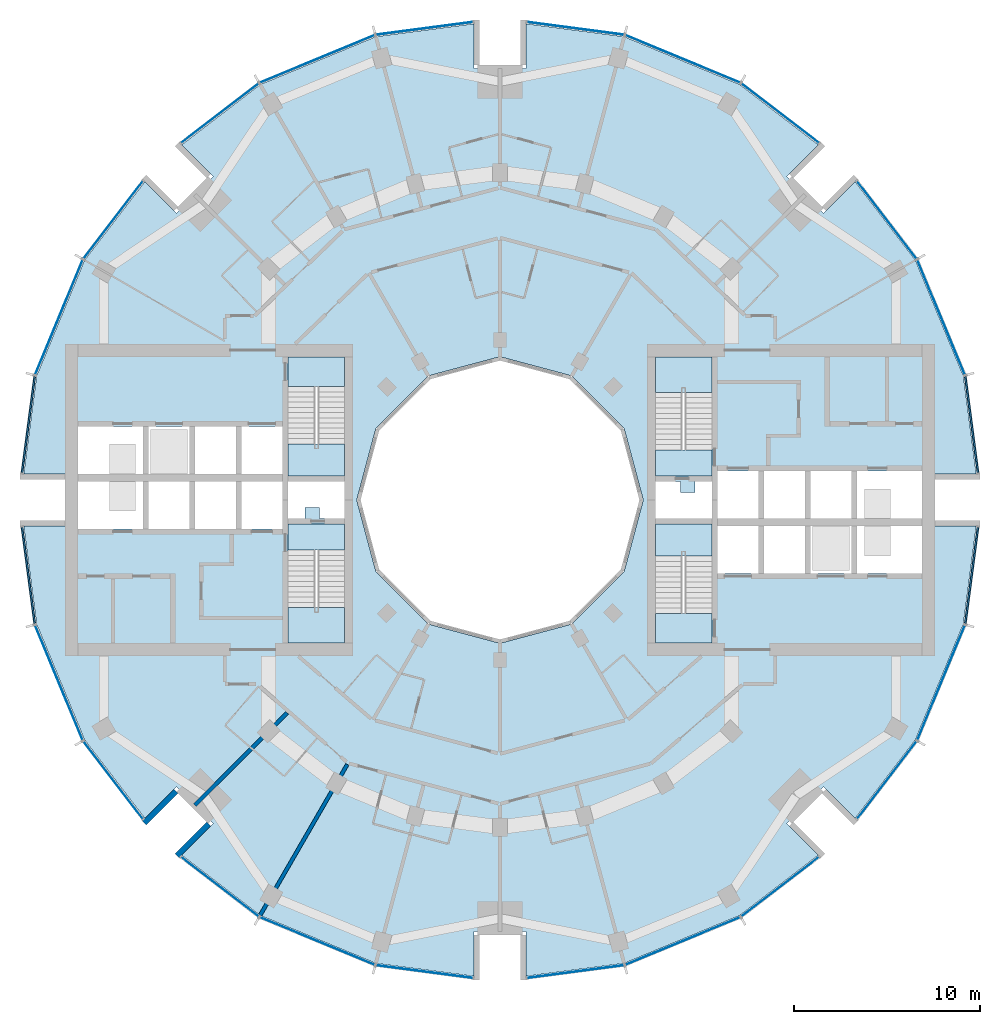
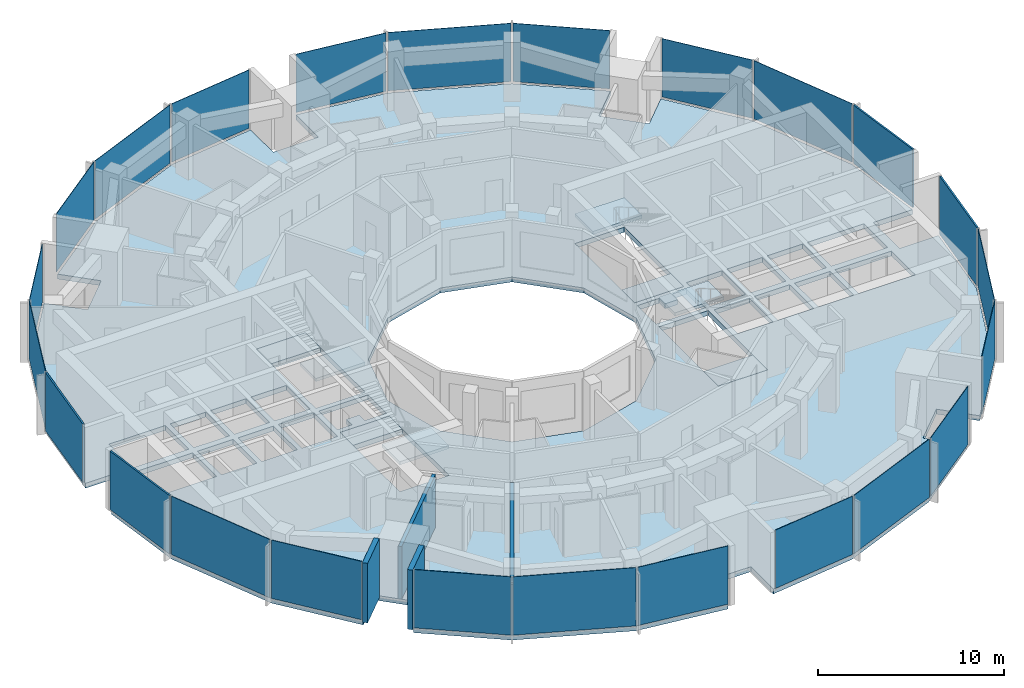
# One storey, part 7 of 15: 24 plates, 9 slabs, 4 walls, 28 elements without a shape of their own.
"""IFC4 building model written with IfcOpenShell, lengths in metres."""

from ifc_helpers import new_model, si_unit, direction, frame, frame_2d, origin, origin_2d, place, context, subcontext, project, spatial, polyline, rectangle, outline, extrude, material, layer, layer_set, type_object, element, aggregate, save


model = new_model("IFC4")

# Units and contexts
model_context = context("Model", 3, precision=1e-05, world=origin(), true_north=direction((0.0, 1.0)))
body_context = subcontext(model_context, "Body", "Model", "MODEL_VIEW")
ifc_project = project(units=[si_unit("LENGTHUNIT", "METRE"), si_unit("AREAUNIT", "SQUARE_METRE"), si_unit("VOLUMEUNIT", "CUBIC_METRE"), si_unit("PLANEANGLEUNIT", "RADIAN"), si_unit("MASSUNIT", "GRAM", prefix="KILO")], contexts=[model_context])

# Site, building, storey
site_placement = place(None, origin())
site = spatial("IfcSite", under=ifc_project, at=site_placement, CompositionType="ELEMENT")
building_placement = place(site_placement, origin())
building = spatial("IfcBuilding", under=site, at=building_placement, Name="Torre Brocal", CompositionType="ELEMENT")
storey_placement = place(building_placement, frame((0.0, 0.0, 141.89990234375)))
storey = spatial("IfcBuildingStorey", under=building, at=storey_placement, Name="L33", CompositionType="ELEMENT", Elevation=141.89990234375)

# Curtain wall, plate
ifc_material_1 = material(Name="Aluminium and glass", Category="aluminium")
ifc_layer_1 = layer(ifc_material_1, 0.199951171875)
ifc_layer_set_1 = layer_set([ifc_layer_1], Name="Aluminium and glass")
curtain_wall_type_1 = type_object("IfcCurtainWallType", Name="CW-1 CURTAIN WALL 3900 HIGH", PredefinedType="NOTDEFINED", material=ifc_layer_set_1)
curtain_wall_1_placement = place(storey_placement, origin())
curtain_wall_1 = element("IfcCurtainWall", 1, at=curtain_wall_1_placement, inside=storey, type_object=curtain_wall_type_1, Name="CW-1 RUN 2", PredefinedType="NOTDEFINED")
ifc_material_2 = material(Name="Glass, dark tinted laminated", Category="glass")
ifc_layer_2 = layer(ifc_material_2, 0.031982421875)
ifc_layer_set_2 = layer_set([ifc_layer_2], Name="Glass, dark tinted laminated")
plate_type_1 = type_object("IfcPlateType", Name="CW-1 GLASS PANEL 32", PredefinedType="CURTAIN_PANEL", material=ifc_layer_set_2)
plate_1_placement = place(storey_placement, frame((103.722900390625, 84.826416015625, 0.080078125), z_axis=(0.0, 0.0, 1.0), x_axis=(-0.382683432333, 0.923879532525, 0.0)))
plate_1 = element("IfcPlate", 2, at=plate_1_placement, type_object=plate_type_1, Name="CW1-3 panel 1.1", PredefinedType="CURTAIN_PANEL", context=body_context, shape_type="SweptSolid", body=[
    extrude(rectangle(XDim=6.64111328125, YDim=0.031982421875, at=origin_2d()), origin(), (0.0, 0.0, 1.0), 3.820068359375),
])
aggregate(curtain_wall_1, [plate_1])

curtain_wall_2_placement = place(storey_placement, origin())
curtain_wall_2 = element("IfcCurtainWall", 3, at=curtain_wall_2_placement, inside=storey, type_object=curtain_wall_type_1, Name="CW-1 RUN 3", PredefinedType="NOTDEFINED")
plate_2_placement = place(storey_placement, frame((100.80126953125, 90.0712890625, 0.080078125), z_axis=(0.0, 0.0, 1.0), x_axis=(-0.60876142905, 0.793353340259, 0.0)))
plate_2 = element("IfcPlate", 4, at=plate_2_placement, type_object=plate_type_1, Name="CW1-3 panel 1.1", PredefinedType="CURTAIN_PANEL", context=body_context, shape_type="SweptSolid", body=[
    extrude(rectangle(XDim=5.22900390625, YDim=0.031982421875, at=origin_2d()), origin(), (0.0, 0.0, 1.0), 3.820068359375),
])
aggregate(curtain_wall_2, [plate_2])

curtain_wall_3_placement = place(storey_placement, origin())
curtain_wall_3 = element("IfcCurtainWall", 5, at=curtain_wall_3_placement, inside=storey, type_object=curtain_wall_type_1, Name="CW-1 RUN 4", PredefinedType="NOTDEFINED")
plate_3_placement = place(storey_placement, frame((95.0712890625, 95.80126953125, 0.080078125), z_axis=(0.0, 0.0, 1.0), x_axis=(-0.793353340259, 0.60876142905, 0.0)))
plate_3 = element("IfcPlate", 6, at=plate_3_placement, type_object=plate_type_1, Name="CW1-3 panel 1.1", PredefinedType="CURTAIN_PANEL", context=body_context, shape_type="SweptSolid", body=[
    extrude(rectangle(XDim=5.22900390625, YDim=0.031982421875, at=origin_2d()), origin(), (0.0, 0.0, 1.0), 3.820068359375),
])
aggregate(curtain_wall_3, [plate_3])

curtain_wall_4_placement = place(storey_placement, origin())
curtain_wall_4 = element("IfcCurtainWall", 7, at=curtain_wall_4_placement, inside=storey, type_object=curtain_wall_type_1, Name="CW-1 RUN 5", PredefinedType="NOTDEFINED")
plate_4_placement = place(storey_placement, frame((89.826416015625, 98.722900390625, 0.080078125), z_axis=(0.0, 0.0, 1.0), x_axis=(-0.923879532525, 0.382683432333, 0.0)))
plate_4 = element("IfcPlate", 8, at=plate_4_placement, type_object=plate_type_1, Name="CW1-3 panel 1.1", PredefinedType="CURTAIN_PANEL", context=body_context, shape_type="SweptSolid", body=[
    extrude(rectangle(XDim=6.64111328125, YDim=0.031982421875, at=origin_2d()), origin(), (0.0, 0.0, 1.0), 3.820068359375),
])
aggregate(curtain_wall_4, [plate_4])

curtain_wall_5_placement = place(storey_placement, origin())
curtain_wall_5 = element("IfcCurtainWall", 9, at=curtain_wall_5_placement, inside=storey, type_object=curtain_wall_type_1, Name="CW-1 RUN 6", PredefinedType="NOTDEFINED")
plate_5_placement = place(storey_placement, frame((84.051513671875, 100.36572265625, 0.080078125), z_axis=(0.0, 0.0, 1.0), x_axis=(-0.991444861374, 0.13052619222, 0.0)))
plate_5 = element("IfcPlate", 10, at=plate_5_placement, type_object=plate_type_1, Name="CW1-3 panel 1.1", PredefinedType="CURTAIN_PANEL", context=body_context, shape_type="SweptSolid", body=[
    extrude(rectangle(XDim=5.22900390625, YDim=0.031982421875, at=origin_2d()), origin(), (0.0, 0.0, 1.0), 3.820068359375),
])
aggregate(curtain_wall_5, [plate_5])

curtain_wall_6_placement = place(storey_placement, origin())
curtain_wall_6 = element("IfcCurtainWall", 11, at=curtain_wall_6_placement, inside=storey, type_object=curtain_wall_type_1, Name="CW-1 RUN 7", PredefinedType="NOTDEFINED")
plate_6_placement = place(storey_placement, frame((75.948486328125, 100.36572265625, 0.080078125), z_axis=(0.0, 0.0, 1.0), x_axis=(-0.991444861374, -0.13052619222, 0.0)))
plate_6 = element("IfcPlate", 12, at=plate_6_placement, type_object=plate_type_1, Name="CW1-3 panel 1.1", PredefinedType="CURTAIN_PANEL", context=body_context, shape_type="SweptSolid", body=[
    extrude(rectangle(XDim=5.22900390625, YDim=0.031982421875, at=origin_2d()), origin(), (0.0, 0.0, 1.0), 3.820068359375),
])
aggregate(curtain_wall_6, [plate_6])

curtain_wall_7_placement = place(storey_placement, origin())
curtain_wall_7 = element("IfcCurtainWall", 13, at=curtain_wall_7_placement, inside=storey, type_object=curtain_wall_type_1, Name="CW-1 RUN 8", PredefinedType="NOTDEFINED")
plate_7_placement = place(storey_placement, frame((70.173583984375, 98.722900390625, 0.080078125), z_axis=(0.0, 0.0, 1.0), x_axis=(-0.923879532525, -0.382683432333, 0.0)))
plate_7 = element("IfcPlate", 14, at=plate_7_placement, type_object=plate_type_1, Name="CW1-3 panel 1.1", PredefinedType="CURTAIN_PANEL", context=body_context, shape_type="SweptSolid", body=[
    extrude(rectangle(XDim=6.64111328125, YDim=0.031982421875, at=origin_2d()), origin(), (0.0, 0.0, 1.0), 3.820068359375),
])
aggregate(curtain_wall_7, [plate_7])

curtain_wall_8_placement = place(storey_placement, origin())
curtain_wall_8 = element("IfcCurtainWall", 15, at=curtain_wall_8_placement, inside=storey, type_object=curtain_wall_type_1, Name="CW-1 RUN 9", PredefinedType="NOTDEFINED")
plate_8_placement = place(storey_placement, frame((64.9287109375, 95.80126953125, 0.080078125), z_axis=(0.0, 0.0, 1.0), x_axis=(-0.793353340259, -0.60876142905, 0.0)))
plate_8 = element("IfcPlate", 16, at=plate_8_placement, type_object=plate_type_1, Name="CW1-3 panel 1.1", PredefinedType="CURTAIN_PANEL", context=body_context, shape_type="SweptSolid", body=[
    extrude(rectangle(XDim=5.22900390625, YDim=0.031982421875, at=origin_2d()), origin(), (0.0, 0.0, 1.0), 3.820068359375),
])
aggregate(curtain_wall_8, [plate_8])

curtain_wall_9_placement = place(storey_placement, origin())
curtain_wall_9 = element("IfcCurtainWall", 17, at=curtain_wall_9_placement, inside=storey, type_object=curtain_wall_type_1, Name="CW-1 RUN 10", PredefinedType="NOTDEFINED")
plate_9_placement = place(storey_placement, frame((59.19873046875, 90.0712890625, 0.080078125), z_axis=(0.0, 0.0, 1.0), x_axis=(-0.60876142905, -0.793353340259, 0.0)))
plate_9 = element("IfcPlate", 18, at=plate_9_placement, type_object=plate_type_1, Name="CW1-3 panel 1.1", PredefinedType="CURTAIN_PANEL", context=body_context, shape_type="SweptSolid", body=[
    extrude(rectangle(XDim=5.22900390625, YDim=0.031982421875, at=origin_2d()), origin(), (0.0, 0.0, 1.0), 3.820068359375),
])
aggregate(curtain_wall_9, [plate_9])

curtain_wall_10_placement = place(storey_placement, origin())
curtain_wall_10 = element("IfcCurtainWall", 19, at=curtain_wall_10_placement, inside=storey, type_object=curtain_wall_type_1, Name="CW-1 RUN 11", PredefinedType="NOTDEFINED")
plate_10_placement = place(storey_placement, frame((56.277099609375, 84.826416015625, 0.080078125), z_axis=(0.0, 0.0, 1.0), x_axis=(-0.382683432333, -0.923879532525, 0.0)))
plate_10 = element("IfcPlate", 20, at=plate_10_placement, type_object=plate_type_1, Name="CW1-3 panel 1.1", PredefinedType="CURTAIN_PANEL", context=body_context, shape_type="SweptSolid", body=[
    extrude(rectangle(XDim=6.64111328125, YDim=0.031982421875, at=origin_2d()), origin(), (0.0, 0.0, 1.0), 3.820068359375),
])
aggregate(curtain_wall_10, [plate_10])

curtain_wall_11_placement = place(storey_placement, origin())
curtain_wall_11 = element("IfcCurtainWall", 21, at=curtain_wall_11_placement, inside=storey, type_object=curtain_wall_type_1, Name="CW-1 RUN 14", PredefinedType="NOTDEFINED")
plate_11_placement = place(storey_placement, frame((56.277099609375, 65.173583984375, 0.080078125), z_axis=(0.0, 0.0, 1.0), x_axis=(0.382683432333, -0.923879532525, 0.0)))
plate_11 = element("IfcPlate", 22, at=plate_11_placement, type_object=plate_type_1, Name="CW1-3 panel 1.1", PredefinedType="CURTAIN_PANEL", context=body_context, shape_type="SweptSolid", body=[
    extrude(rectangle(XDim=6.64111328125, YDim=0.031982421875, at=origin_2d()), origin(), (0.0, 0.0, 1.0), 3.820068359375),
])
aggregate(curtain_wall_11, [plate_11])

curtain_wall_12_placement = place(storey_placement, origin())
curtain_wall_12 = element("IfcCurtainWall", 23, at=curtain_wall_12_placement, inside=storey, type_object=curtain_wall_type_1, Name="CW-1 RUN 15", PredefinedType="NOTDEFINED")
plate_12_placement = place(storey_placement, frame((59.19873046875, 59.9287109375, 0.080078125), z_axis=(0.0, 0.0, 1.0), x_axis=(0.60876142905, -0.793353340259, 0.0)))
plate_12 = element("IfcPlate", 24, at=plate_12_placement, type_object=plate_type_1, Name="CW1-3 panel 1.1", PredefinedType="CURTAIN_PANEL", context=body_context, shape_type="SweptSolid", body=[
    extrude(rectangle(XDim=5.22900390625, YDim=0.031982421875, at=origin_2d()), origin(), (0.0, 0.0, 1.0), 3.820068359375),
])
aggregate(curtain_wall_12, [plate_12])

curtain_wall_13_placement = place(storey_placement, origin())
curtain_wall_13 = element("IfcCurtainWall", 25, at=curtain_wall_13_placement, inside=storey, type_object=curtain_wall_type_1, Name="CW-1 RUN 16", PredefinedType="NOTDEFINED")
plate_13_placement = place(storey_placement, frame((64.9287109375, 54.19873046875, 0.080078125), z_axis=(0.0, 0.0, 1.0), x_axis=(0.793353340259, -0.60876142905, 0.0)))
plate_13 = element("IfcPlate", 26, at=plate_13_placement, type_object=plate_type_1, Name="CW1-3 panel 1.1", PredefinedType="CURTAIN_PANEL", context=body_context, shape_type="SweptSolid", body=[
    extrude(rectangle(XDim=5.22900390625, YDim=0.031982421875, at=origin_2d()), origin(), (0.0, 0.0, 1.0), 3.820068359375),
])
aggregate(curtain_wall_13, [plate_13])

curtain_wall_14_placement = place(storey_placement, origin())
curtain_wall_14 = element("IfcCurtainWall", 27, at=curtain_wall_14_placement, inside=storey, type_object=curtain_wall_type_1, Name="CW-1 RUN 17", PredefinedType="NOTDEFINED")
plate_14_placement = place(storey_placement, frame((70.173583984375, 51.277099609375, 0.080078125), z_axis=(0.0, 0.0, 1.0), x_axis=(0.923879532525, -0.382683432333, 0.0)))
plate_14 = element("IfcPlate", 28, at=plate_14_placement, type_object=plate_type_1, Name="CW1-3 panel 1.1", PredefinedType="CURTAIN_PANEL", context=body_context, shape_type="SweptSolid", body=[
    extrude(rectangle(XDim=6.64111328125, YDim=0.031982421875, at=origin_2d()), origin(), (0.0, 0.0, 1.0), 3.820068359375),
])
aggregate(curtain_wall_14, [plate_14])

curtain_wall_15_placement = place(storey_placement, origin())
curtain_wall_15 = element("IfcCurtainWall", 29, at=curtain_wall_15_placement, inside=storey, type_object=curtain_wall_type_1, Name="CW-1 RUN 18", PredefinedType="NOTDEFINED")
plate_15_placement = place(storey_placement, frame((75.948486328125, 49.63427734375, 0.080078125), z_axis=(0.0, 0.0, 1.0), x_axis=(0.991444861374, -0.13052619222, 0.0)))
plate_15 = element("IfcPlate", 30, at=plate_15_placement, type_object=plate_type_1, Name="CW1-3 panel 1.1", PredefinedType="CURTAIN_PANEL", context=body_context, shape_type="SweptSolid", body=[
    extrude(rectangle(XDim=5.22900390625, YDim=0.031982421875, at=origin_2d()), origin(), (0.0, 0.0, 1.0), 3.820068359375),
])
aggregate(curtain_wall_15, [plate_15])

curtain_wall_16_placement = place(storey_placement, origin())
curtain_wall_16 = element("IfcCurtainWall", 31, at=curtain_wall_16_placement, inside=storey, type_object=curtain_wall_type_1, Name="CW-1 RUN 19", PredefinedType="NOTDEFINED")
plate_16_placement = place(storey_placement, frame((84.051513671875, 49.63427734375, 0.080078125), z_axis=(0.0, 0.0, 1.0), x_axis=(0.991444861374, 0.13052619222, 0.0)))
plate_16 = element("IfcPlate", 32, at=plate_16_placement, type_object=plate_type_1, Name="CW1-3 panel 1.1", PredefinedType="CURTAIN_PANEL", context=body_context, shape_type="SweptSolid", body=[
    extrude(rectangle(XDim=5.22900390625, YDim=0.031982421875, at=origin_2d()), origin(), (0.0, 0.0, 1.0), 3.820068359375),
])
aggregate(curtain_wall_16, [plate_16])

curtain_wall_17_placement = place(storey_placement, origin())
curtain_wall_17 = element("IfcCurtainWall", 33, at=curtain_wall_17_placement, inside=storey, type_object=curtain_wall_type_1, Name="CW-1 RUN 20", PredefinedType="NOTDEFINED")
plate_17_placement = place(storey_placement, frame((89.826416015625, 51.277099609375, 0.080078125), z_axis=(0.0, 0.0, 1.0), x_axis=(0.923879532525, 0.382683432333, 0.0)))
plate_17 = element("IfcPlate", 34, at=plate_17_placement, type_object=plate_type_1, Name="CW1-3 panel 1.1", PredefinedType="CURTAIN_PANEL", context=body_context, shape_type="SweptSolid", body=[
    extrude(rectangle(XDim=6.64111328125, YDim=0.031982421875, at=origin_2d()), origin(), (0.0, 0.0, 1.0), 3.820068359375),
])
aggregate(curtain_wall_17, [plate_17])

curtain_wall_18_placement = place(storey_placement, origin())
curtain_wall_18 = element("IfcCurtainWall", 35, at=curtain_wall_18_placement, inside=storey, type_object=curtain_wall_type_1, Name="CW-1 RUN 21", PredefinedType="NOTDEFINED")
plate_18_placement = place(storey_placement, frame((95.0712890625, 54.19873046875, 0.080078125), z_axis=(0.0, 0.0, 1.0), x_axis=(0.793353340259, 0.60876142905, 0.0)))
plate_18 = element("IfcPlate", 36, at=plate_18_placement, type_object=plate_type_1, Name="CW1-3 panel 1.1", PredefinedType="CURTAIN_PANEL", context=body_context, shape_type="SweptSolid", body=[
    extrude(rectangle(XDim=5.22900390625, YDim=0.031982421875, at=origin_2d()), origin(), (0.0, 0.0, 1.0), 3.820068359375),
])
aggregate(curtain_wall_18, [plate_18])

curtain_wall_19_placement = place(storey_placement, origin())
curtain_wall_19 = element("IfcCurtainWall", 37, at=curtain_wall_19_placement, inside=storey, type_object=curtain_wall_type_1, Name="CW-1 RUN 22", PredefinedType="NOTDEFINED")
plate_19_placement = place(storey_placement, frame((100.80126953125, 59.9287109375, 0.080078125), z_axis=(0.0, 0.0, 1.0), x_axis=(0.60876142905, 0.793353340259, 0.0)))
plate_19 = element("IfcPlate", 38, at=plate_19_placement, type_object=plate_type_1, Name="CW1-3 panel 1.1", PredefinedType="CURTAIN_PANEL", context=body_context, shape_type="SweptSolid", body=[
    extrude(rectangle(XDim=5.22900390625, YDim=0.031982421875, at=origin_2d()), origin(), (0.0, 0.0, 1.0), 3.820068359375),
])
aggregate(curtain_wall_19, [plate_19])

curtain_wall_20_placement = place(storey_placement, origin())
curtain_wall_20 = element("IfcCurtainWall", 39, at=curtain_wall_20_placement, inside=storey, type_object=curtain_wall_type_1, Name="CW-1 RUN 23", PredefinedType="NOTDEFINED")
plate_20_placement = place(storey_placement, frame((103.722900390625, 65.173583984375, 0.080078125), z_axis=(0.0, 0.0, 1.0), x_axis=(0.382683432333, 0.923879532525, 0.0)))
plate_20 = element("IfcPlate", 40, at=plate_20_placement, type_object=plate_type_1, Name="CW1-3 panel 1.1", PredefinedType="CURTAIN_PANEL", context=body_context, shape_type="SweptSolid", body=[
    extrude(rectangle(XDim=6.64111328125, YDim=0.031982421875, at=origin_2d()), origin(), (0.0, 0.0, 1.0), 3.820068359375),
])
aggregate(curtain_wall_20, [plate_20])

ifc_material_3 = material(Name="Aluminium and glass", Category="aluminium")
ifc_layer_3 = layer(ifc_material_3, 0.199951171875)
ifc_layer_set_3 = layer_set([ifc_layer_3], Name="Aluminium and glass")
curtain_wall_type_2 = type_object("IfcCurtainWallType", Name="CW-1B CURTAIN WALL 3900 HIGH", PredefinedType="NOTDEFINED", material=ifc_layer_set_3)
curtain_wall_21_placement = place(storey_placement, origin())
curtain_wall_21 = element("IfcCurtainWall", 41, at=curtain_wall_21_placement, inside=storey, type_object=curtain_wall_type_2, Name="CW-1B RUN 1", PredefinedType="NOTDEFINED")
ifc_material_4 = material(Name="Aluminium composite panel", Category="aluminium")
ifc_layer_4 = layer(ifc_material_4, 0.10009765625)
ifc_layer_set_4 = layer_set([ifc_layer_4], Name="Aluminium composite panel")
plate_type_2 = type_object("IfcPlateType", Name="CW-1B OPAQUE PANEL 100", PredefinedType="CURTAIN_PANEL", material=ifc_layer_set_4)
plate_21_placement = place(storey_placement, frame((105.36572265625, 79.051513671875, 0.080078125), z_axis=(0.0, 0.0, 1.0), x_axis=(-0.13052619222, 0.991444861374, 0.0)))
plate_21 = element("IfcPlate", 42, at=plate_21_placement, type_object=plate_type_2, Name="CW1B-3 panel 1.1", PredefinedType="CURTAIN_PANEL", context=body_context, shape_type="SweptSolid", body=[
    extrude(rectangle(XDim=5.22900390625, YDim=0.10009765625, at=origin_2d()), origin(), (0.0, 0.0, 1.0), 3.820068359375),
])
aggregate(curtain_wall_21, [plate_21])

curtain_wall_22_placement = place(storey_placement, origin())
curtain_wall_22 = element("IfcCurtainWall", 43, at=curtain_wall_22_placement, inside=storey, type_object=curtain_wall_type_2, Name="CW-1B RUN 12", PredefinedType="NOTDEFINED")
plate_22_placement = place(storey_placement, frame((54.63427734375, 79.051513671875, 0.080078125), z_axis=(0.0, 0.0, 1.0), x_axis=(-0.13052619222, -0.991444861374, 0.0)))
plate_22 = element("IfcPlate", 44, at=plate_22_placement, type_object=plate_type_2, Name="CW1B-3 panel 1.1", PredefinedType="CURTAIN_PANEL", context=body_context, shape_type="SweptSolid", body=[
    extrude(rectangle(XDim=5.22900390625, YDim=0.10009765625, at=origin_2d()), origin(), (0.0, 0.0, 1.0), 3.820068359375),
])
aggregate(curtain_wall_22, [plate_22])

curtain_wall_23_placement = place(storey_placement, origin())
curtain_wall_23 = element("IfcCurtainWall", 45, at=curtain_wall_23_placement, inside=storey, type_object=curtain_wall_type_2, Name="CW-1B RUN 13", PredefinedType="NOTDEFINED")
plate_23_placement = place(storey_placement, frame((54.63427734375, 70.948486328125, 0.080078125), z_axis=(0.0, 0.0, 1.0), x_axis=(0.13052619222, -0.991444861374, 0.0)))
plate_23 = element("IfcPlate", 46, at=plate_23_placement, type_object=plate_type_2, Name="CW1B-3 panel 1.1", PredefinedType="CURTAIN_PANEL", context=body_context, shape_type="SweptSolid", body=[
    extrude(rectangle(XDim=5.22900390625, YDim=0.10009765625, at=origin_2d()), origin(), (0.0, 0.0, 1.0), 3.820068359375),
])
aggregate(curtain_wall_23, [plate_23])

curtain_wall_24_placement = place(storey_placement, origin())
curtain_wall_24 = element("IfcCurtainWall", 47, at=curtain_wall_24_placement, inside=storey, type_object=curtain_wall_type_2, Name="CW-1B RUN 24", PredefinedType="NOTDEFINED")
plate_24_placement = place(storey_placement, frame((105.36572265625, 70.948486328125, 0.080078125), z_axis=(0.0, 0.0, 1.0), x_axis=(0.13052619222, 0.991444861374, 0.0)))
plate_24 = element("IfcPlate", 48, at=plate_24_placement, type_object=plate_type_2, Name="CW1B-3 panel 1.1", PredefinedType="CURTAIN_PANEL", context=body_context, shape_type="SweptSolid", body=[
    extrude(rectangle(XDim=5.22900390625, YDim=0.10009765625, at=origin_2d()), origin(), (0.0, 0.0, 1.0), 3.820068359375),
])
aggregate(curtain_wall_24, [plate_24])

# Stair, slab
ifc_material_5 = material(Name="Concrete C50", Category="concrete")
stair_type = type_object("IfcStairType", Name="EXIT STAIR", PredefinedType="HALF_TURN_STAIR", material=ifc_material_5)
stair_1_placement = place(storey_placement, origin())
stair_1 = element("IfcStair", 49, at=stair_1_placement, inside=storey, type_object=stair_type, Name="EXIT STAIR ST1", PredefinedType="HALF_TURN_STAIR")
ifc_material_6 = material(Name="Concrete C50", Category="concrete")
ifc_layer_5 = layer(ifc_material_6, 0.320068359375)
ifc_layer_set_5 = layer_set([ifc_layer_5], Name="Concrete C50")
slab_type_1 = type_object("IfcSlabType", Name="FLOOR LANDING 320", PredefinedType="LANDING", material=ifc_layer_set_5)
slab_1_placement = place(storey_placement, frame((0.0, 0.0, -0.31982421875)))
slab_1 = element("IfcSlab", 50, at=slab_1_placement, type_object=slab_type_1, Name="ST1 landing 1", PredefinedType="LANDING", context=body_context, shape_type="SweptSolid", body=[
    extrude(outline(polyline([(88.35009765625, 76.300048828125), (91.39990234375, 76.300048828125), (91.39990234375, 77.699951171875), (88.35009765625, 77.699951171875), (88.35009765625, 76.300048828125)])), origin(), (0.0, 0.0, 1.0), 0.31982421875),
])

stair_2_placement = place(storey_placement, origin())
stair_2 = element("IfcStair", 51, at=stair_2_placement, inside=storey, type_object=stair_type, Name="EXIT STAIR ST2", PredefinedType="HALF_TURN_STAIR")
slab_2_placement = place(storey_placement, frame((0.0, 0.0, -0.31982421875)))
slab_2 = element("IfcSlab", 52, at=slab_2_placement, type_object=slab_type_1, Name="ST2 landing 1", PredefinedType="LANDING", context=body_context, shape_type="SweptSolid", body=[
    extrude(outline(polyline([(88.35009765625, 67.300048828125), (91.39990234375, 67.300048828125), (91.39990234375, 68.89990234375), (88.35009765625, 68.89990234375), (88.35009765625, 67.300048828125)])), origin(), (0.0, 0.0, 1.0), 0.31982421875),
])

stair_3_placement = place(storey_placement, origin())
stair_3 = element("IfcStair", 53, at=stair_3_placement, inside=storey, type_object=stair_type, Name="EXIT STAIR ST3", PredefinedType="HALF_TURN_STAIR")
slab_3_placement = place(storey_placement, frame((0.0, 0.0, -0.31982421875)))
slab_3 = element("IfcSlab", 54, at=slab_3_placement, type_object=slab_type_1, Name="ST3 landing 1", PredefinedType="LANDING", context=body_context, shape_type="SweptSolid", body=[
    extrude(outline(polyline([(71.64990234375, 73.699951171875), (68.60009765625, 73.699951171875), (68.60009765625, 72.300048828125), (71.64990234375, 72.300048828125), (71.64990234375, 73.699951171875)])), origin(), (0.0, 0.0, 1.0), 0.31982421875),
])

stair_4_placement = place(storey_placement, origin())
stair_4 = element("IfcStair", 55, at=stair_4_placement, inside=storey, type_object=stair_type, Name="EXIT STAIR ST4", PredefinedType="HALF_TURN_STAIR")
slab_4_placement = place(storey_placement, frame((0.0, 0.0, -0.31982421875)))
slab_4 = element("IfcSlab", 56, at=slab_4_placement, type_object=slab_type_1, Name="ST4 landing 1", PredefinedType="LANDING", context=body_context, shape_type="SweptSolid", body=[
    extrude(outline(polyline([(71.64990234375, 82.699951171875), (68.60009765625, 82.699951171875), (68.60009765625, 81.10009765625), (71.64990234375, 81.10009765625), (71.64990234375, 82.699951171875)])), origin(), (0.0, 0.0, 1.0), 0.31982421875),
])

# Slab
ifc_material_7 = material(Name="Concrete C50", Category="concrete")
ifc_layer_6 = layer(ifc_material_7, 0.199951171875)
ifc_layer_set_6 = layer_set([ifc_layer_6], Name="Concrete C50")
slab_type_2 = type_object("IfcSlabType", Name="MID LANDING +1950", PredefinedType="LANDING", material=ifc_layer_set_6)
slab_5_placement = place(storey_placement, frame((0.0, 0.0, 1.75)))
slab_5 = element("IfcSlab", 57, at=slab_5_placement, type_object=slab_type_2, Name="ST1 landing 2", PredefinedType="LANDING", context=body_context, shape_type="SweptSolid", body=[
    extrude(outline(polyline([(88.35009765625, 80.780029296875), (91.39990234375, 80.780029296875), (91.39990234375, 82.699951171875), (88.35009765625, 82.699951171875), (88.35009765625, 80.780029296875)])), origin(), (0.0, 0.0, 1.0), 0.2001953125),
])

aggregate(stair_1, [slab_1, slab_5])

slab_6_placement = place(storey_placement, frame((0.0, 0.0, 1.75)))
slab_6 = element("IfcSlab", 58, at=slab_6_placement, type_object=slab_type_2, Name="ST2 landing 2", PredefinedType="LANDING", context=body_context, shape_type="SweptSolid", body=[
    extrude(outline(polyline([(88.35009765625, 71.97998046875), (91.39990234375, 71.97998046875), (91.39990234375, 73.699951171875), (88.35009765625, 73.699951171875), (88.35009765625, 71.97998046875)])), origin(), (0.0, 0.0, 1.0), 0.2001953125),
])

aggregate(stair_2, [slab_2, slab_6])

slab_7_placement = place(storey_placement, frame((0.0, 0.0, 1.75)))
slab_7 = element("IfcSlab", 59, at=slab_7_placement, type_object=slab_type_2, Name="ST3 landing 2", PredefinedType="LANDING", context=body_context, shape_type="SweptSolid", body=[
    extrude(outline(polyline([(71.64990234375, 69.219970703125), (68.60009765625, 69.219970703125), (68.60009765625, 67.300048828125), (71.64990234375, 67.300048828125), (71.64990234375, 69.219970703125)])), origin(), (0.0, 0.0, 1.0), 0.2001953125),
])

aggregate(stair_3, [slab_3, slab_7])

slab_8_placement = place(storey_placement, frame((0.0, 0.0, 1.75)))
slab_8 = element("IfcSlab", 60, at=slab_8_placement, type_object=slab_type_2, Name="ST4 landing 2", PredefinedType="LANDING", context=body_context, shape_type="SweptSolid", body=[
    extrude(outline(polyline([(71.64990234375, 78.02001953125), (68.60009765625, 78.02001953125), (68.60009765625, 76.300048828125), (71.64990234375, 76.300048828125), (71.64990234375, 78.02001953125)])), origin(), (0.0, 0.0, 1.0), 0.2001953125),
])

aggregate(stair_4, [slab_4, slab_8])

ifc_material_8 = material(Name="Concrete C45", Category="concrete")
ifc_layer_7 = layer(ifc_material_8, 0.320068359375)
ifc_layer_set_7 = layer_set([ifc_layer_7], Name="Concrete C45")
slab_type_3 = type_object("IfcSlabType", Name="PT FLOOR SLAB 320 C45", PredefinedType="FLOOR", material=ifc_layer_set_7)
slab_9_placement = place(storey_placement, frame((0.0, 0.0, -0.31982421875)))
element("IfcSlab", 61, at=slab_9_placement, inside=storey, type_object=slab_type_3, Name="Slab ST-05", PredefinedType="FLOOR", context=body_context, shape_type="SweptSolid", body=[
    extrude(outline(polyline([(103.199951171875, 76.39990234375), (103.199951171875, 73.60009765625), (105.614013671875, 73.60009765625), (104.919189453125, 68.322998046875), (102.342041015625, 62.100830078125), (99.101806640625, 57.878173828125), (97.394775390625, 59.5849609375), (95.4150390625, 57.605224609375), (97.121826171875, 55.898193359375), (92.899169921875, 52.657958984375), (86.677001953125, 50.080810546875), (81.39990234375, 49.385986328125), (81.39990234375, 51.800048828125), (78.60009765625, 51.800048828125), (78.60009765625, 49.385986328125), (73.322998046875, 50.080810546875), (67.100830078125, 52.657958984375), (62.878173828125, 55.898193359375), (64.5849609375, 57.605224609375), (62.605224609375, 59.5849609375), (60.898193359375, 57.878173828125), (57.657958984375, 62.100830078125), (55.080810546875, 68.322998046875), (54.385986328125, 73.60009765625), (56.800048828125, 73.60009765625), (56.800048828125, 76.39990234375), (54.385986328125, 76.39990234375), (55.080810546875, 81.677001953125), (57.657958984375, 87.899169921875), (60.898193359375, 92.121826171875), (62.605224609375, 90.4150390625), (64.5849609375, 92.394775390625), (62.878173828125, 94.101806640625), (67.100830078125, 97.342041015625), (73.322998046875, 99.919189453125), (78.60009765625, 100.614013671875), (78.60009765625, 98.199951171875), (81.39990234375, 98.199951171875), (81.39990234375, 100.614013671875), (86.677001953125, 99.919189453125), (92.899169921875, 97.342041015625), (97.121826171875, 94.101806640625), (95.4150390625, 92.394775390625), (97.394775390625, 90.4150390625), (99.101806640625, 92.121826171875), (102.342041015625, 87.899169921875), (104.919189453125, 81.677001953125), (105.614013671875, 76.39990234375), (103.199951171875, 76.39990234375)]), holes=[polyline([(102.699951171875, 74.0), (102.699951171875, 76.550048828125), (99.199951171875, 76.550048828125), (99.199951171875, 74.0), (102.699951171875, 74.0)]), polyline([(102.699951171875, 71.050048828125), (102.699951171875, 73.60009765625), (99.199951171875, 73.60009765625), (99.199951171875, 71.050048828125), (102.699951171875, 71.050048828125)]), polyline([(98.89990234375, 76.550048828125), (96.699951171875, 76.550048828125), (96.699951171875, 74.0), (98.89990234375, 74.0), (98.89990234375, 76.550048828125)]), polyline([(98.89990234375, 71.050048828125), (98.89990234375, 73.60009765625), (96.699951171875, 73.60009765625), (96.699951171875, 71.050048828125), (98.89990234375, 71.050048828125)]), polyline([(96.39990234375, 73.60009765625), (94.199951171875, 73.60009765625), (94.199951171875, 71.050048828125), (96.39990234375, 71.050048828125), (96.39990234375, 73.60009765625)]), polyline([(96.39990234375, 74.0), (96.39990234375, 76.550048828125), (94.199951171875, 76.550048828125), (94.199951171875, 74.0), (96.39990234375, 74.0)]), polyline([(93.89990234375, 73.60009765625), (91.699951171875, 73.60009765625), (91.699951171875, 71.050048828125), (93.89990234375, 71.050048828125), (93.89990234375, 73.60009765625)]), polyline([(93.89990234375, 74.0), (93.89990234375, 76.550048828125), (91.699951171875, 76.550048828125), (91.699951171875, 74.0), (93.89990234375, 74.0)]), polyline([(91.39990234375, 76.300048828125), (91.39990234375, 82.699951171875), (88.35009765625, 82.699951171875), (88.35009765625, 76.300048828125), (91.39990234375, 76.300048828125)]), polyline([(91.39990234375, 73.699951171875), (88.35009765625, 73.699951171875), (88.35009765625, 67.300048828125), (91.39990234375, 67.300048828125), (91.39990234375, 73.699951171875)]), polyline([(89.699951171875, 76.0), (88.35009765625, 76.0), (88.35009765625, 74.0), (91.39990234375, 74.0), (91.39990234375, 76.0), (90.5, 76.0), (90.5, 75.39990234375), (89.699951171875, 75.39990234375), (89.699951171875, 76.0)]), polyline([(80.0, 82.70703125), (76.146484375, 81.674560546875), (73.325439453125, 78.853515625), (72.29296875, 75.0), (73.325439453125, 71.146484375), (76.146484375, 68.325439453125), (80.0, 67.29296875), (83.853515625, 68.325439453125), (86.674560546875, 71.146484375), (87.70703125, 75.0), (86.674560546875, 78.853515625), (83.853515625, 81.674560546875), (80.0, 82.70703125)]), polyline([(68.60009765625, 82.699951171875), (68.60009765625, 76.300048828125), (71.64990234375, 76.300048828125), (71.64990234375, 82.699951171875), (68.60009765625, 82.699951171875)]), polyline([(70.300048828125, 74.0), (71.64990234375, 74.0), (71.64990234375, 76.0), (68.60009765625, 76.0), (68.60009765625, 74.0), (69.5, 74.0), (69.5, 74.60009765625), (70.300048828125, 74.60009765625), (70.300048828125, 74.0)]), polyline([(68.60009765625, 67.300048828125), (71.64990234375, 67.300048828125), (71.64990234375, 73.699951171875), (68.60009765625, 73.699951171875), (68.60009765625, 67.300048828125)]), polyline([(66.10009765625, 78.949951171875), (66.10009765625, 76.39990234375), (68.300048828125, 76.39990234375), (68.300048828125, 78.949951171875), (66.10009765625, 78.949951171875)]), polyline([(66.10009765625, 76.0), (66.10009765625, 73.449951171875), (68.300048828125, 73.449951171875), (68.300048828125, 76.0), (66.10009765625, 76.0)]), polyline([(63.60009765625, 76.0), (63.60009765625, 73.449951171875), (65.800048828125, 73.449951171875), (65.800048828125, 76.0), (63.60009765625, 76.0)]), polyline([(63.60009765625, 76.39990234375), (65.800048828125, 76.39990234375), (65.800048828125, 78.949951171875), (63.60009765625, 78.949951171875), (63.60009765625, 76.39990234375)]), polyline([(61.10009765625, 78.949951171875), (61.10009765625, 76.39990234375), (63.300048828125, 76.39990234375), (63.300048828125, 78.949951171875), (61.10009765625, 78.949951171875)]), polyline([(61.10009765625, 73.449951171875), (63.300048828125, 73.449951171875), (63.300048828125, 76.0), (61.10009765625, 76.0), (61.10009765625, 73.449951171875)]), polyline([(57.300048828125, 73.449951171875), (60.800048828125, 73.449951171875), (60.800048828125, 76.0), (57.300048828125, 76.0), (57.300048828125, 73.449951171875)]), polyline([(57.300048828125, 78.949951171875), (57.300048828125, 76.39990234375), (60.800048828125, 76.39990234375), (60.800048828125, 78.949951171875), (57.300048828125, 78.949951171875)])]), origin(), (0.0, 0.0, 1.0), 0.31982421875),
])

# Walls
ifc_material_9 = material(Name="Concrete C70", Category="concrete")
ifc_layer_8 = layer(ifc_material_9, 0.300048828125)
ifc_layer_set_8 = layer_set([ifc_layer_8], Name="Concrete C70")
wall_type_1 = type_object("IfcWallType", Name="NOTCH RETURN WALL 300 C70", PredefinedType="NOTDEFINED", material=ifc_layer_set_8)
for number, where, z_axis, x_axis, name in (
    (62, (62.56982421875, 59.337646484375, 0.0), (0.0, 0.0, 1.0), (-0.707106781187, -0.707106781187, 0.0), "NOTCH RETURN WALL"),
    (63, (64.337646484375, 57.56982421875, 0.0), (0.0, 0.0, 1.0), (-0.707106781187, -0.707106781187, 0.0), "NOTCH RETURN WALL"),
):
    element("IfcWall", number, at=place(storey_placement, frame(where, z_axis=z_axis, x_axis=x_axis)), inside=storey, type_object=wall_type_1, Name=name, PredefinedType="NOTDEFINED", context=body_context, shape_type="SweptSolid", body=[
        extrude(rectangle(XDim=2.415771484375, YDim=0.300048828125, at=frame_2d((1.2080078125, 0.0))), origin(), (0.0, 0.0, 1.0), 3.900146484375),
    ])
ifc_material_10 = material(Name="Gypsum board", Category="Gypsum")
ifc_layer_9 = layer(ifc_material_10, 0.199951171875)
ifc_layer_set_9 = layer_set([ifc_layer_9], Name="Gypsum board")
wall_type_2 = type_object("IfcWallType", Name="PARTITION 200 EI60", PredefinedType="PARTITIONING", material=ifc_layer_set_9)
wall_1_placement = place(storey_placement, frame((63.5927734375, 58.5986328125, 0.0), z_axis=(0.0, 0.0, 1.0), x_axis=(0.707228748718, 0.706984792613, 0.0)))
element("IfcWall", 64, at=wall_1_placement, inside=storey, type_object=wall_type_2, Name="BATHROOM WALL", PredefinedType="PARTITIONING", context=body_context, shape_type="SweptSolid", body=[
    extrude(rectangle(XDim=7.00537109375, YDim=0.199951171875, at=frame_2d((3.502685546875, 0.0))), origin(), (0.0, 0.0, 1.0), 3.4501953125),
])
wall_2_placement = place(storey_placement, frame((67.097412109375, 52.66064453125, 0.0), z_axis=(0.0, 0.0, 1.0), x_axis=(0.500236379769, 0.865888886841, 0.0)))
element("IfcWall", 65, at=wall_2_placement, inside=storey, type_object=wall_type_2, Name="PARTY PARTITION", PredefinedType="PARTITIONING", context=body_context, shape_type="SweptSolid", body=[
    extrude(rectangle(XDim=9.375, YDim=0.199951171875, at=frame_2d((4.6875, 0.0))), origin(), (0.0, 0.0, 1.0), 3.4501953125),
])

save(model, "model.ifc")
